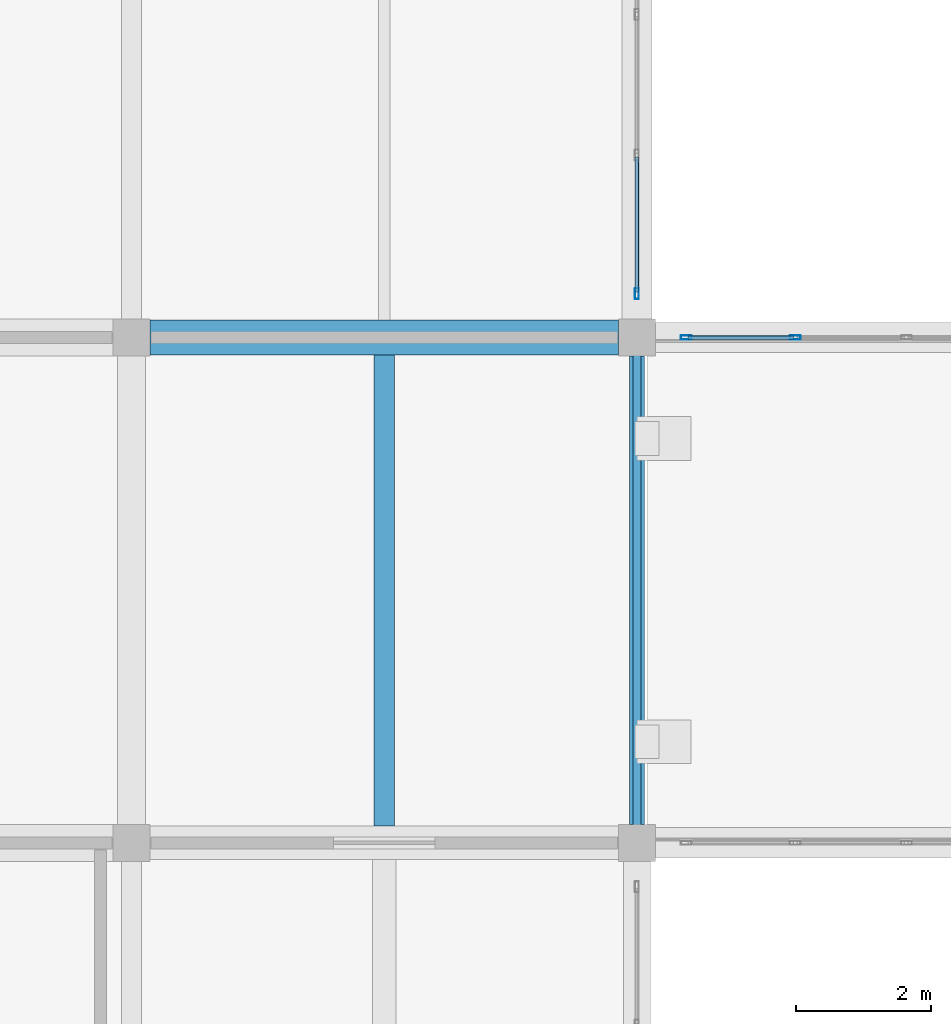
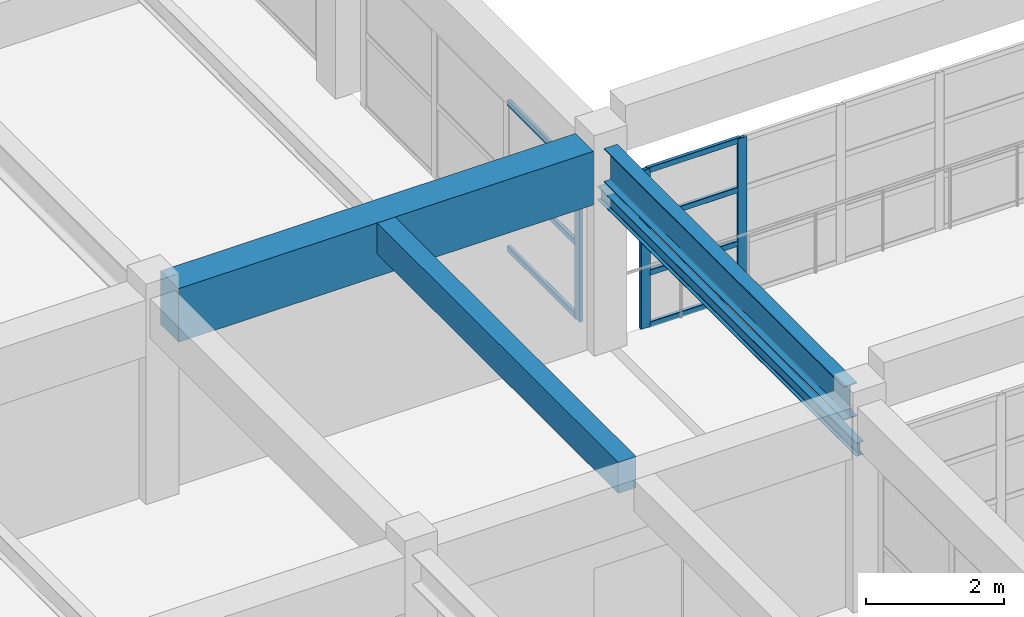
# One storey, part 30 of 101: 10 members, 4 beams, 2 elements without a shape of their own.
"""IFC4 building model written with IfcOpenShell, lengths in metres."""

from ifc_helpers import new_model, si_unit, direction, frame, origin, origin_2d, place, context, subcontext, project, spatial, rectangle, hollow_rectangle, i_section, extrude, material, material_profile, profile_set, type_object, element, aggregate, save


model = new_model("IFC4")

# Units and contexts
model_context = context("Model", 3, precision=1e-05, world=origin(), true_north=direction((0.0, 1.0)))
body_context = subcontext(model_context, "Body", "Model", "MODEL_VIEW")
ifc_project = project(units=[si_unit("LENGTHUNIT", "METRE"), si_unit("AREAUNIT", "SQUARE_METRE"), si_unit("VOLUMEUNIT", "CUBIC_METRE"), si_unit("PLANEANGLEUNIT", "RADIAN"), si_unit("MASSUNIT", "GRAM", prefix="KILO")], contexts=[model_context])

# Site, building, storey
site_placement = place(None, origin())
site = spatial("IfcSite", under=ifc_project, at=site_placement, CompositionType="ELEMENT")
building_placement = place(site_placement, origin())
building = spatial("IfcBuilding", under=site, at=building_placement, Name="Qasida Concert Hall", CompositionType="ELEMENT")
storey_placement = place(building_placement, frame((0.0, 0.0, 13.199951171875)))
storey = spatial("IfcBuildingStorey", under=building, at=storey_placement, Name="L03", CompositionType="ELEMENT", Elevation=13.199951171875)

# Beams
ifc_material_1 = material(Name="Concrete C40/50", Category="concrete")
ifc_material_profile_1 = material_profile(ifc_material_1, rectangle(XDim=0.52001953125, YDim=0.949951171875, at=origin_2d()), Name="RC 520x950")
ifc_profile_set_1 = profile_set([ifc_material_profile_1], Name="Concrete C40/50")
beam_type_1 = type_object("IfcBeamType", Name="BM-G7", PredefinedType="USERDEFINED", material=ifc_profile_set_1)
beam_1_placement = place(storey_placement, frame((30.27490234375, 37.5, 3.14501953125), z_axis=(1.0, 0.0, 0.0), x_axis=(0.0, 1.0, 0.0)))
element("IfcBeam", 1, at=beam_1_placement, inside=storey, type_object=beam_type_1, Name="Primary girder 1609", ObjectType="GIRDER", PredefinedType="USERDEFINED", context=body_context, shape_type="SweptSolid", body=[
    extrude(rectangle(XDim=0.52001953125, YDim=0.949951171875, at=origin_2d()), origin(), (0.0, 0.0, 1.0), 6.9501953125),
])
ifc_material_profile_2 = material_profile(ifc_material_1, rectangle(XDim=0.300048828125, YDim=0.550048828125, at=origin_2d()), Name="RC 300x550")
ifc_profile_set_2 = profile_set([ifc_material_profile_2], Name="Concrete C40/50")
beam_type_2 = type_object("IfcBeamType", Name="BM-J1", PredefinedType="JOIST", material=ifc_profile_set_2)
beam_2_placement = place(storey_placement, frame((33.75, 30.25, 3.344970703125), z_axis=(0.0, 1.0, 0.0), x_axis=(-1.0, 0.0, 0.0)))
element("IfcBeam", 2, at=beam_2_placement, inside=storey, type_object=beam_type_2, Name="L03 secondary joist 1656", PredefinedType="JOIST", context=body_context, shape_type="SweptSolid", body=[
    extrude(rectangle(XDim=0.300048828125, YDim=0.550048828125, at=origin_2d()), origin(), (0.0, 0.0, 1.0), 6.989990234375),
])
ifc_material_2 = material(Name="Steel S355J2", Category="steel")
ifc_material_profile_3 = material_profile(ifc_material_2, i_section(OverallWidth=0.1201171875, OverallDepth=0.239990234375, WebThickness=0.006103515625, FlangeThickness=0.009765625, FilletRadius=0.014892578125, at=origin_2d()), Name="IPE 240")
ifc_profile_set_3 = profile_set([ifc_material_profile_3], Name="Steel S355J2")
beam_type_3 = type_object("IfcBeamType", Name="BM-LN2", PredefinedType="LINTEL", material=ifc_profile_set_3)
beam_3_placement = place(storey_placement, frame((37.5, 30.0, 2.650146484375), z_axis=(0.0, 1.0, 0.0), x_axis=(-1.0, 0.0, 0.0)))
element("IfcBeam", 3, at=beam_3_placement, inside=storey, type_object=beam_type_3, Name="L03 portal lintel beam 015", PredefinedType="LINTEL", context=body_context, shape_type="SweptSolid", body=[
    extrude(i_section(OverallWidth=0.1201171875, OverallDepth=0.239990234375, WebThickness=0.006103515625, FlangeThickness=0.009765625, FilletRadius=0.014892578125, at=origin_2d()), origin(), (0.0, 0.0, 1.0), 7.5),
])
ifc_material_profile_4 = material_profile(ifc_material_2, i_section(OverallWidth=0.219970703125, OverallDepth=0.60009765625, WebThickness=0.011962890625, FlangeThickness=0.01904296875, FilletRadius=0.02392578125, at=origin_2d()), Name="IPE 600")
ifc_profile_set_4 = profile_set([ifc_material_profile_4], Name="Steel S355J2")
beam_type_4 = type_object("IfcBeamType", Name="BM-SP3", PredefinedType="SPANDREL", material=ifc_profile_set_4)
beam_4_placement = place(storey_placement, frame((37.5, 30.27490234375, 3.320068359375), z_axis=(0.0, 1.0, 0.0), x_axis=(-1.0, 0.0, 0.0)))
element("IfcBeam", 4, at=beam_4_placement, inside=storey, type_object=beam_type_4, Name="L03 girder 1633", PredefinedType="SPANDREL", context=body_context, shape_type="SweptSolid", body=[
    extrude(i_section(OverallWidth=0.219970703125, OverallDepth=0.60009765625, WebThickness=0.011962890625, FlangeThickness=0.01904296875, FilletRadius=0.02392578125, at=origin_2d()), origin(), (0.0, 0.0, 1.0), 6.9501953125),
])

# Curtain wall, member
ifc_material_3 = material(Name="Architectural bronze-anodized aluminium and low-E glass", Category="aluminium")
curtain_wall_type = type_object("IfcCurtainWallType", Name="CW-09", PredefinedType="NOTDEFINED", material=ifc_material_3)
curtain_wall_1_placement = place(storey_placement, origin())
curtain_wall_1 = element("IfcCurtainWall", 5, at=curtain_wall_1_placement, inside=storey, type_object=curtain_wall_type, Name="L03 curtain wall CW-09 0128", PredefinedType="NOTDEFINED")
ifc_material_4 = material(Name="Architectural bronze-anodized aluminium EN AW-6063", Category="aluminium")
ifc_material_profile_5 = material_profile(ifc_material_4, hollow_rectangle(XDim=0.06005859375, YDim=0.159912109375, WallThickness=0.00390625, InnerFilletRadius=0.00390625, OuterFilletRadius=0.008056640625, at=origin_2d()), Name="CWM 160x60x4")
ifc_profile_set_5 = profile_set([ifc_material_profile_5], Name="Architectural bronze-anodized aluminium EN AW-6063")
member_type_1 = type_object("IfcMemberType", Name="MB-CWM-3", PredefinedType="MULLION", material=ifc_profile_set_5)
member_1_placement = place(storey_placement, frame((37.5, 38.14990234375, 0.0), z_axis=(0.0, 0.0, 1.0), x_axis=(-1.0, 0.0, 0.0)))
member_1 = element("IfcMember", 6, at=member_1_placement, type_object=member_type_1, Name="CW-09 mullion 1", PredefinedType="MULLION", context=body_context, shape_type="SweptSolid", body=[
    extrude(hollow_rectangle(XDim=0.06005859375, YDim=0.159912109375, WallThickness=0.00390625, InnerFilletRadius=0.00390625, OuterFilletRadius=0.008056640625, at=origin_2d()), origin(), (0.0, 0.0, 1.0), 2.64013671875),
])

# Curtain wall, members
curtain_wall_2_placement = place(storey_placement, origin())
curtain_wall_2 = element("IfcCurtainWall", 7, at=curtain_wall_2_placement, inside=storey, type_object=curtain_wall_type, Name="L03 link bridge glazing 0207", PredefinedType="NOTDEFINED")
member_2_placement = place(storey_placement, frame((38.22998046875, 37.5, 0.0), z_axis=(0.0, 0.0, 1.0), x_axis=(0.0, 1.0, 0.0)))
member_2 = element("IfcMember", 8, at=member_2_placement, type_object=member_type_1, Name="CW-09 mullion 1", PredefinedType="MULLION", context=body_context, shape_type="SweptSolid", body=[
    extrude(hollow_rectangle(XDim=0.06005859375, YDim=0.159912109375, WallThickness=0.00390625, InnerFilletRadius=0.00390625, OuterFilletRadius=0.008056640625, at=origin_2d()), origin(), (0.0, 0.0, 1.0), 2.800048828125),
])
member_3_placement = place(storey_placement, frame((39.85009765625, 37.5, 0.0), z_axis=(0.0, 0.0, 1.0), x_axis=(0.0, 1.0, 0.0)))
member_3 = element("IfcMember", 9, at=member_3_placement, type_object=member_type_1, Name="CW-09 mullion 2", PredefinedType="MULLION", context=body_context, shape_type="SweptSolid", body=[
    extrude(hollow_rectangle(XDim=0.06005859375, YDim=0.159912109375, WallThickness=0.00390625, InnerFilletRadius=0.00390625, OuterFilletRadius=0.008056640625, at=origin_2d()), origin(), (0.0, 0.0, 1.0), 2.800048828125),
])

# Member
ifc_material_profile_6 = material_profile(ifc_material_4, hollow_rectangle(XDim=0.06005859375, YDim=0.10009765625, WallThickness=0.00341796875, InnerFilletRadius=0.00341796875, OuterFilletRadius=0.007080078125, at=origin_2d()), Name="CWT 100x60x3.5")
ifc_profile_set_6 = profile_set([ifc_material_profile_6], Name="Architectural bronze-anodized aluminium EN AW-6063")
member_type_2 = type_object("IfcMemberType", Name="MB-CWT-3", PredefinedType="USERDEFINED", material=ifc_profile_set_6)
member_4_placement = place(storey_placement, frame((37.5, 38.179931640625, 0.030029296875), z_axis=(0.0, 1.0, 0.0), x_axis=(-1.0, 0.0, 0.0)))
member_4 = element("IfcMember", 10, at=member_4_placement, type_object=member_type_2, Name="CW-09 transom 1.1", ObjectType="TRANSOM", PredefinedType="USERDEFINED", context=body_context, shape_type="SweptSolid", body=[
    extrude(hollow_rectangle(XDim=0.06005859375, YDim=0.10009765625, WallThickness=0.00341796875, InnerFilletRadius=0.00341796875, OuterFilletRadius=0.007080078125, at=origin_2d()), origin(), (0.0, 0.0, 1.0), 1.996826171875),
])

member_5_placement = place(storey_placement, frame((37.5, 38.179931640625, 1.320068359375), z_axis=(0.0, 1.0, 0.0), x_axis=(-1.0, 0.0, 0.0)))
member_5 = element("IfcMember", 11, at=member_5_placement, type_object=member_type_2, Name="CW-09 transom 1.2", ObjectType="TRANSOM", PredefinedType="USERDEFINED", context=body_context, shape_type="SweptSolid", body=[
    extrude(hollow_rectangle(XDim=0.06005859375, YDim=0.10009765625, WallThickness=0.00341796875, InnerFilletRadius=0.00341796875, OuterFilletRadius=0.007080078125, at=origin_2d()), origin(), (0.0, 0.0, 1.0), 1.996826171875),
])

member_6_placement = place(storey_placement, frame((37.5, 38.179931640625, 2.610107421875), z_axis=(0.0, 1.0, 0.0), x_axis=(-1.0, 0.0, 0.0)))
member_6 = element("IfcMember", 12, at=member_6_placement, type_object=member_type_2, Name="CW-09 transom 1.3", ObjectType="TRANSOM", PredefinedType="USERDEFINED", context=body_context, shape_type="SweptSolid", body=[
    extrude(hollow_rectangle(XDim=0.06005859375, YDim=0.10009765625, WallThickness=0.00341796875, InnerFilletRadius=0.00341796875, OuterFilletRadius=0.007080078125, at=origin_2d()), origin(), (0.0, 0.0, 1.0), 1.996826171875),
])

aggregate(curtain_wall_1, [member_1, member_4, member_5, member_6])

member_7_placement = place(storey_placement, frame((38.260009765625, 37.5, 0.030029296875), z_axis=(1.0, 0.0, 0.0), x_axis=(0.0, 1.0, 0.0)))
member_7 = element("IfcMember", 13, at=member_7_placement, type_object=member_type_2, Name="CW-09 transom 1.1", ObjectType="TRANSOM", PredefinedType="USERDEFINED", context=body_context, shape_type="SweptSolid", body=[
    extrude(hollow_rectangle(XDim=0.06005859375, YDim=0.10009765625, WallThickness=0.00341796875, InnerFilletRadius=0.00341796875, OuterFilletRadius=0.007080078125, at=origin_2d()), origin(), (0.0, 0.0, 1.0), 1.56005859375),
])

member_8_placement = place(storey_placement, frame((38.260009765625, 37.5, 0.949951171875), z_axis=(1.0, 0.0, 0.0), x_axis=(0.0, 1.0, 0.0)))
member_8 = element("IfcMember", 14, at=member_8_placement, type_object=member_type_2, Name="CW-09 transom 1.2", ObjectType="TRANSOM", PredefinedType="USERDEFINED", context=body_context, shape_type="SweptSolid", body=[
    extrude(hollow_rectangle(XDim=0.06005859375, YDim=0.10009765625, WallThickness=0.00341796875, InnerFilletRadius=0.00341796875, OuterFilletRadius=0.007080078125, at=origin_2d()), origin(), (0.0, 0.0, 1.0), 1.56005859375),
])

member_9_placement = place(storey_placement, frame((38.260009765625, 37.5, 1.900146484375), z_axis=(1.0, 0.0, 0.0), x_axis=(0.0, 1.0, 0.0)))
member_9 = element("IfcMember", 15, at=member_9_placement, type_object=member_type_2, Name="CW-09 transom 1.3", ObjectType="TRANSOM", PredefinedType="USERDEFINED", context=body_context, shape_type="SweptSolid", body=[
    extrude(hollow_rectangle(XDim=0.06005859375, YDim=0.10009765625, WallThickness=0.00341796875, InnerFilletRadius=0.00341796875, OuterFilletRadius=0.007080078125, at=origin_2d()), origin(), (0.0, 0.0, 1.0), 1.56005859375),
])

member_10_placement = place(storey_placement, frame((38.260009765625, 37.5, 2.77001953125), z_axis=(1.0, 0.0, 0.0), x_axis=(0.0, 1.0, 0.0)))
member_10 = element("IfcMember", 16, at=member_10_placement, type_object=member_type_2, Name="CW-09 transom 1.4", ObjectType="TRANSOM", PredefinedType="USERDEFINED", context=body_context, shape_type="SweptSolid", body=[
    extrude(hollow_rectangle(XDim=0.06005859375, YDim=0.10009765625, WallThickness=0.00341796875, InnerFilletRadius=0.00341796875, OuterFilletRadius=0.007080078125, at=origin_2d()), origin(), (0.0, 0.0, 1.0), 1.56005859375),
])

aggregate(curtain_wall_2, [member_2, member_3, member_7, member_8, member_9, member_10])

save(model, "model.ifc")
